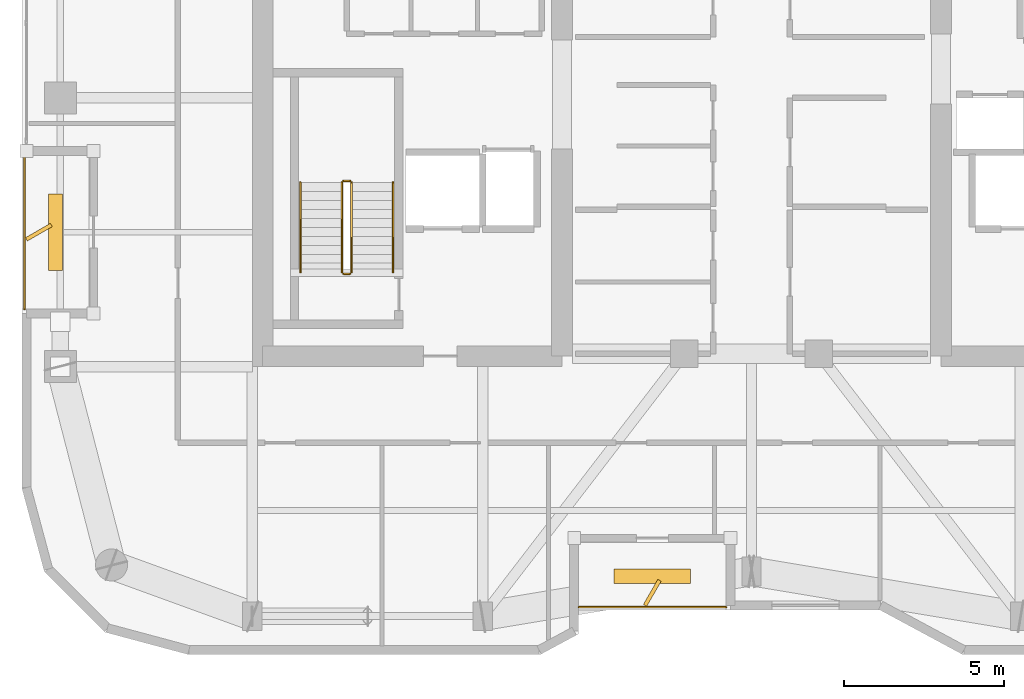
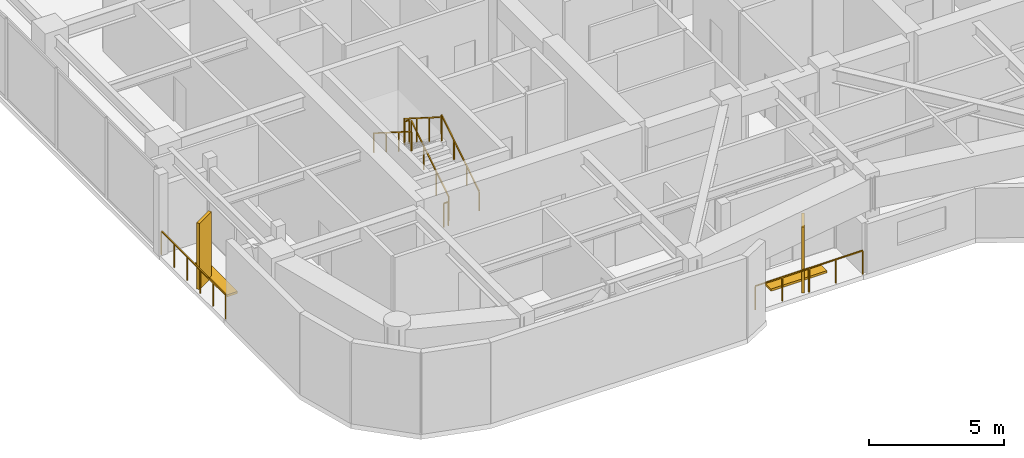
# One storey, part 19 of 21: 8 railings, 4 shading devices.
"""IFC4 building model written with IfcOpenShell, lengths in metres."""

from ifc_helpers import new_model, si_unit, direction, frame, origin, origin_2d, place, context, subcontext, project, spatial, rectangle, extrude, material, type_object, element, save


model = new_model("IFC4")

# Units and contexts
model_context = context("Model", 3, precision=1e-05, world=origin(), true_north=direction((0.0, 1.0)))
body_context = subcontext(model_context, "Body", "Model", "MODEL_VIEW")
ifc_project = project(units=[si_unit("LENGTHUNIT", "METRE"), si_unit("AREAUNIT", "SQUARE_METRE"), si_unit("VOLUMEUNIT", "CUBIC_METRE"), si_unit("PLANEANGLEUNIT", "RADIAN"), si_unit("MASSUNIT", "GRAM", prefix="KILO")], contexts=[model_context])

# Site, building, storey
site_placement = place(None, origin())
site = spatial("IfcSite", under=ifc_project, at=site_placement, CompositionType="ELEMENT")
building_placement = place(site_placement, origin())
building = spatial("IfcBuilding", under=site, at=building_placement, Name="Kiyonajd Concourse Tower", CompositionType="ELEMENT")
storey_placement = place(building_placement, frame((0.0, 0.0, 247.199951171875)))
storey = spatial("IfcBuildingStorey", under=building, at=storey_placement, Name="L62", CompositionType="ELEMENT", Elevation=247.199951171875)

# Railings
ifc_material_1 = material(Name="Thermally Broken Anodised Aluminium", Category="aluminium")
railing_type_1 = type_object("IfcRailingType", Name="RL-GRD-LOG", PredefinedType="GUARDRAIL", material=ifc_material_1)
railing_1_placement = place(storey_placement, frame((42.60009765625, 20.080078125, 0.0)))
element("IfcRailing", 1, at=railing_1_placement, inside=storey, type_object=railing_type_1, Name="L62 Engawa Loggia Perimeter Guard LOG-S", PredefinedType="GUARDRAIL", context=body_context, shape_type="SweptSolid", body=[
    extrude(rectangle(XDim=0.048095703125, YDim=0.048095703125, at=origin_2d()), frame((0.0, 0.0, 1.076171875), z_axis=(1.0, 0.0, 0.0), x_axis=(0.0, 1.0, 0.0)), (0.0, 0.0, 1.0), 4.599853515625),
    extrude(rectangle(XDim=0.0419921875, YDim=0.0419921875, at=origin_2d()), origin(), (0.0, 0.0, 1.0), 1.052001953125),
    extrude(rectangle(XDim=0.0419921875, YDim=0.0419921875, at=origin_2d()), frame((1.14990234375, 0.0, 0.0)), (0.0, 0.0, 1.0), 1.052001953125),
    extrude(rectangle(XDim=0.0419921875, YDim=0.0419921875, at=origin_2d()), frame((2.2998046875, 0.0, 0.0)), (0.0, 0.0, 1.0), 1.052001953125),
    extrude(rectangle(XDim=0.0419921875, YDim=0.0419921875, at=origin_2d()), frame((3.449951171875, 0.0, 0.0)), (0.0, 0.0, 1.0), 1.052001953125),
    extrude(rectangle(XDim=0.0419921875, YDim=0.0419921875, at=origin_2d()), frame((4.599853515625, 0.0, 0.0)), (0.0, 0.0, 1.0), 1.052001953125),
])
railing_2_placement = place(storey_placement, frame((25.280029296875, 34.199951171875, 0.0)))
element("IfcRailing", 2, at=railing_2_placement, inside=storey, type_object=railing_type_1, Name="L62 Engawa Loggia Perimeter Guard LOG-W", PredefinedType="GUARDRAIL", context=body_context, shape_type="SweptSolid", body=[
    extrude(rectangle(XDim=0.048095703125, YDim=0.048095703125, at=origin_2d()), frame((0.0, 0.0, 1.076171875), z_axis=(0.0, -1.0, 0.0), x_axis=(1.0, 0.0, 0.0)), (0.0, 0.0, 1.0), 4.800048828125),
    extrude(rectangle(XDim=0.0419921875, YDim=0.0419921875, at=origin_2d()), origin(), (0.0, 0.0, 1.0), 1.052001953125),
    extrude(rectangle(XDim=0.0419921875, YDim=0.0419921875, at=origin_2d()), frame((0.0, -0.9599609375, 0.0)), (0.0, 0.0, 1.0), 1.052001953125),
    extrude(rectangle(XDim=0.0419921875, YDim=0.0419921875, at=origin_2d()), frame((0.0, -1.919921875, 0.0)), (0.0, 0.0, 1.0), 1.052001953125),
    extrude(rectangle(XDim=0.0419921875, YDim=0.0419921875, at=origin_2d()), frame((0.0, -2.880126953125, 0.0)), (0.0, 0.0, 1.0), 1.052001953125),
    extrude(rectangle(XDim=0.0419921875, YDim=0.0419921875, at=origin_2d()), frame((0.0, -3.840087890625, 0.0)), (0.0, 0.0, 1.0), 1.052001953125),
    extrude(rectangle(XDim=0.0419921875, YDim=0.0419921875, at=origin_2d()), frame((0.0, -4.800048828125, 0.0)), (0.0, 0.0, 1.0), 1.052001953125),
])
ifc_material_2 = material(Name="Steel ASTM A500 Grade C", Category="steel")
railing_type_2 = type_object("IfcRailingType", Name="RL-GRD-STR", PredefinedType="GUARDRAIL", material=ifc_material_2)
railing_3_placement = place(storey_placement, frame((35.5, 30.550048828125, 0.17724609375)))
element("IfcRailing", 3, at=railing_3_placement, inside=storey, type_object=railing_type_2, Name="L62 ST1 stair guard 1", PredefinedType="GUARDRAIL", context=body_context, shape_type="SweptSolid", body=[
    extrude(rectangle(XDim=0.048095703125, YDim=0.048095703125, at=origin_2d()), frame((0.0, 0.0, 1.076171875), z_axis=(0.0, 0.844908973607, 0.534910110503), x_axis=(-1.0, 0.0, 0.0)), (0.0, 0.0, 1.0), 3.31396484375),
    extrude(rectangle(XDim=0.0419921875, YDim=0.0419921875, at=origin_2d()), origin(), (0.0, 0.0, 1.0), 1.052001953125),
    extrude(rectangle(XDim=0.0419921875, YDim=0.0419921875, at=origin_2d()), frame((0.0, 0.933349609375, 0.5908203125)), (0.0, 0.0, 1.0), 1.052001953125),
    extrude(rectangle(XDim=0.0419921875, YDim=0.0419921875, at=origin_2d()), frame((0.0, 1.86669921875, 1.181884765625)), (0.0, 0.0, 1.0), 1.052001953125),
    extrude(rectangle(XDim=0.0419921875, YDim=0.0419921875, at=origin_2d()), frame((0.0, 2.800048828125, 1.772705078125)), (0.0, 0.0, 1.0), 1.052001953125),
])
railing_4_placement = place(storey_placement, frame((35.449951171875, 33.39990234375, 1.949951171875)))
element("IfcRailing", 4, at=railing_4_placement, inside=storey, type_object=railing_type_2, Name="L62 ST1 stair guard 2", PredefinedType="GUARDRAIL", context=body_context, shape_type="SweptSolid", body=[
    extrude(rectangle(XDim=0.048095703125, YDim=0.048095703125, at=origin_2d()), frame((0.0, 0.0, 1.076171875), z_axis=(-1.0, 0.0, 0.0), x_axis=(0.0, -1.0, 0.0)), (0.0, 0.0, 1.0), 0.199951171875),
    extrude(rectangle(XDim=0.0419921875, YDim=0.0419921875, at=origin_2d()), origin(), (0.0, 0.0, 1.0), 1.052001953125),
    extrude(rectangle(XDim=0.0419921875, YDim=0.0419921875, at=origin_2d()), frame((-0.199951171875, 0.0, 0.0)), (0.0, 0.0, 1.0), 1.052001953125),
])
railing_5_placement = place(storey_placement, frame((35.199951171875, 33.35009765625, 2.12744140625)))
element("IfcRailing", 5, at=railing_5_placement, inside=storey, type_object=railing_type_2, Name="L62 ST1 stair guard 3", PredefinedType="GUARDRAIL", context=body_context, shape_type="SweptSolid", body=[
    extrude(rectangle(XDim=0.048095703125, YDim=0.048095703125, at=origin_2d()), frame((0.0, 0.0, 1.076171875), z_axis=(0.0, -0.844908973607, 0.534910110503), x_axis=(1.0, 0.0, 0.0)), (0.0, 0.0, 1.0), 3.31396484375),
    extrude(rectangle(XDim=0.0419921875, YDim=0.0419921875, at=origin_2d()), origin(), (0.0, 0.0, 1.0), 1.052001953125),
    extrude(rectangle(XDim=0.0419921875, YDim=0.0419921875, at=origin_2d()), frame((0.0, -0.933349609375, 0.5908203125)), (0.0, 0.0, 1.0), 1.052001953125),
    extrude(rectangle(XDim=0.0419921875, YDim=0.0419921875, at=origin_2d()), frame((0.0, -1.86669921875, 1.181884765625)), (0.0, 0.0, 1.0), 1.052001953125),
    extrude(rectangle(XDim=0.0419921875, YDim=0.0419921875, at=origin_2d()), frame((0.0, -2.800048828125, 1.772705078125)), (0.0, 0.0, 1.0), 1.052001953125),
])
railing_6_placement = place(storey_placement, frame((35.449951171875, 30.5, 0.0)))
element("IfcRailing", 6, at=railing_6_placement, inside=storey, type_object=railing_type_2, Name="L62 ST1 stair guard 4", PredefinedType="GUARDRAIL", context=body_context, shape_type="SweptSolid", body=[
    extrude(rectangle(XDim=0.048095703125, YDim=0.048095703125, at=origin_2d()), frame((0.0, 0.0, 1.076171875), z_axis=(-1.0, 0.0, 0.0), x_axis=(0.0, -1.0, 0.0)), (0.0, 0.0, 1.0), 0.199951171875),
    extrude(rectangle(XDim=0.0419921875, YDim=0.0419921875, at=origin_2d()), origin(), (0.0, 0.0, 1.0), 1.052001953125),
    extrude(rectangle(XDim=0.0419921875, YDim=0.0419921875, at=origin_2d()), frame((-0.199951171875, 0.0, 0.0)), (0.0, 0.0, 1.0), 1.052001953125),
])
ifc_material_3 = material(Name="Brushed Stainless Steel Cab Assembly", Category="steel")
railing_type_3 = type_object("IfcRailingType", Name="RL-HND-900", PredefinedType="HANDRAIL", material=ifc_material_3)
railing_7_placement = place(storey_placement, frame((36.800048828125, 30.550048828125, 0.17724609375)))
element("IfcRailing", 7, at=railing_7_placement, inside=storey, type_object=railing_type_3, Name="L62 ST1 stair handrail 1", PredefinedType="HANDRAIL", context=body_context, shape_type="SweptSolid", body=[
    extrude(rectangle(XDim=0.048095703125, YDim=0.048095703125, at=origin_2d()), frame((0.0, 0.0, 0.8759765625), z_axis=(0.0, 0.844908973607, 0.534910110503), x_axis=(-1.0, 0.0, 0.0)), (0.0, 0.0, 1.0), 3.31396484375),
    extrude(rectangle(XDim=0.0419921875, YDim=0.0419921875, at=origin_2d()), origin(), (0.0, 0.0, 1.0), 0.851806640625),
    extrude(rectangle(XDim=0.0419921875, YDim=0.0419921875, at=origin_2d()), frame((0.0, 0.933349609375, 0.5908203125)), (0.0, 0.0, 1.0), 0.851806640625),
    extrude(rectangle(XDim=0.0419921875, YDim=0.0419921875, at=origin_2d()), frame((0.0, 1.86669921875, 1.181884765625)), (0.0, 0.0, 1.0), 0.851806640625),
    extrude(rectangle(XDim=0.0419921875, YDim=0.0419921875, at=origin_2d()), frame((0.0, 2.800048828125, 1.772705078125)), (0.0, 0.0, 1.0), 0.851806640625),
])
railing_8_placement = place(storey_placement, frame((33.89990234375, 33.35009765625, 2.12744140625)))
element("IfcRailing", 8, at=railing_8_placement, inside=storey, type_object=railing_type_3, Name="L62 ST1 stair handrail 2", PredefinedType="HANDRAIL", context=body_context, shape_type="SweptSolid", body=[
    extrude(rectangle(XDim=0.048095703125, YDim=0.048095703125, at=origin_2d()), frame((0.0, 0.0, 0.8759765625), z_axis=(0.0, -0.844908973607, 0.534910110503), x_axis=(1.0, 0.0, 0.0)), (0.0, 0.0, 1.0), 3.31396484375),
    extrude(rectangle(XDim=0.0419921875, YDim=0.0419921875, at=origin_2d()), origin(), (0.0, 0.0, 1.0), 0.851806640625),
    extrude(rectangle(XDim=0.0419921875, YDim=0.0419921875, at=origin_2d()), frame((0.0, -0.933349609375, 0.5908203125)), (0.0, 0.0, 1.0), 0.851806640625),
    extrude(rectangle(XDim=0.0419921875, YDim=0.0419921875, at=origin_2d()), frame((0.0, -1.86669921875, 1.181884765625)), (0.0, 0.0, 1.0), 0.851806640625),
    extrude(rectangle(XDim=0.0419921875, YDim=0.0419921875, at=origin_2d()), frame((0.0, -2.800048828125, 1.772705078125)), (0.0, 0.0, 1.0), 0.851806640625),
])

# Shading devices
ifc_material_4 = material(Name="Precast concrete C50/60", Category="concrete")
shading_device_type_1 = type_object("IfcShadingDeviceType", Name="SH-FIN-900", PredefinedType="USERDEFINED", material=ifc_material_4)
for number, where, z_axis, x_axis, name in (
    (9, (44.89990234375, 20.530029296875, 0.0), (0.0, 0.0, 1.0), (0.5, 0.866025403784, 0.0), "L62 Angled Koshi Solar Fin LOG-S"),
    (10, (25.72998046875, 31.800048828125, 0.0), (0.0, 0.0, 1.0), (0.866025403784, 0.5, 0.0), "L62 Angled Koshi Solar Fin LOG-W"),
):
    element("IfcShadingDevice", number, at=place(storey_placement, frame(where, z_axis=z_axis, x_axis=x_axis)), inside=storey, type_object=shading_device_type_1, Name=name, ObjectType="FIN", PredefinedType="USERDEFINED", context=body_context, shape_type="SweptSolid", body=[
        extrude(rectangle(XDim=0.89990234375, YDim=0.1201171875, at=origin_2d()), origin(), (0.0, 0.0, 1.0), 3.0),
    ])
shading_device_type_2 = type_object("IfcShadingDeviceType", Name="SH-LVR-600", PredefinedType="JALOUSIE", material=ifc_material_1)
for number, where, z_axis, x_axis, name in (
    (11, (44.89990234375, 21.050048828125, 0.0), (0.0, 0.0, 1.0), (1.0, 0.0, 0.0), "L62 Loggia Threshold Louver LOG-S"),
    (12, (26.25, 31.800048828125, 0.0), (0.0, 0.0, 1.0), (0.0, 1.0, 0.0), "L62 Loggia Threshold Louver LOG-W"),
):
    element("IfcShadingDevice", number, at=place(storey_placement, frame(where, z_axis=z_axis, x_axis=x_axis)), inside=storey, type_object=shading_device_type_2, Name=name, PredefinedType="JALOUSIE", context=body_context, shape_type="SweptSolid", body=[
        extrude(rectangle(XDim=2.39990234375, YDim=0.449951171875, at=origin_2d()), origin(), (0.0, 0.0, 1.0), 0.10009765625),
    ])

save(model, "model.ifc")
